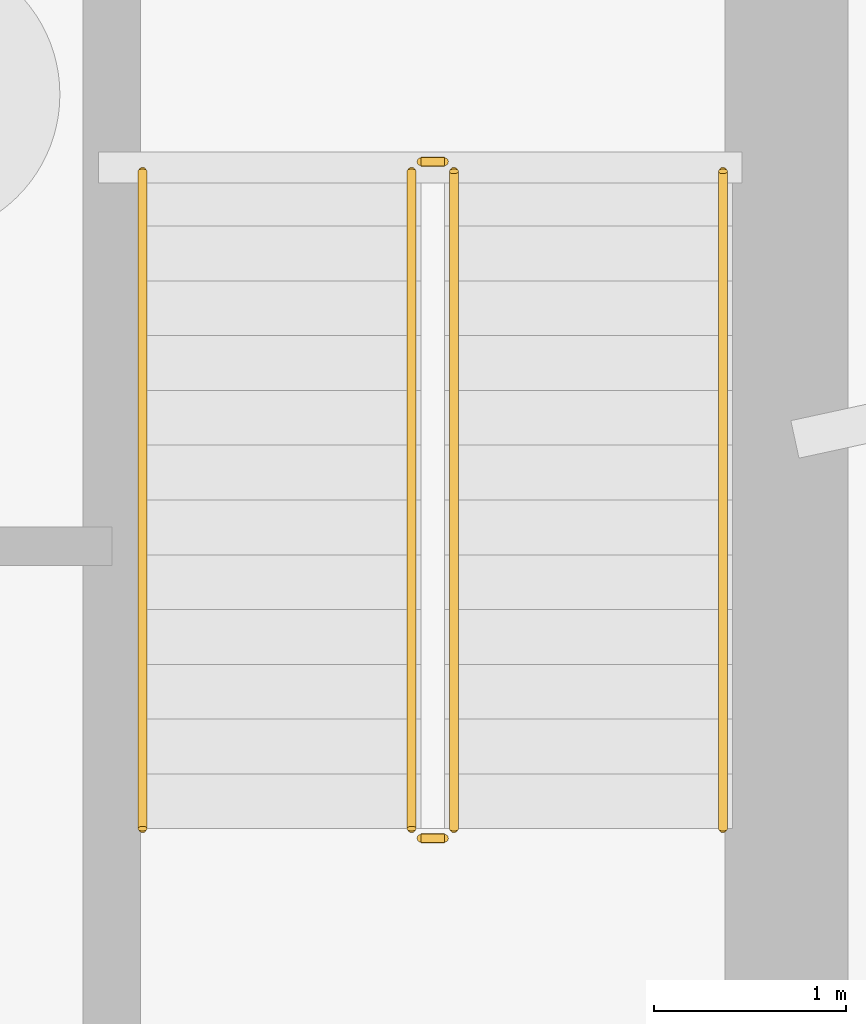
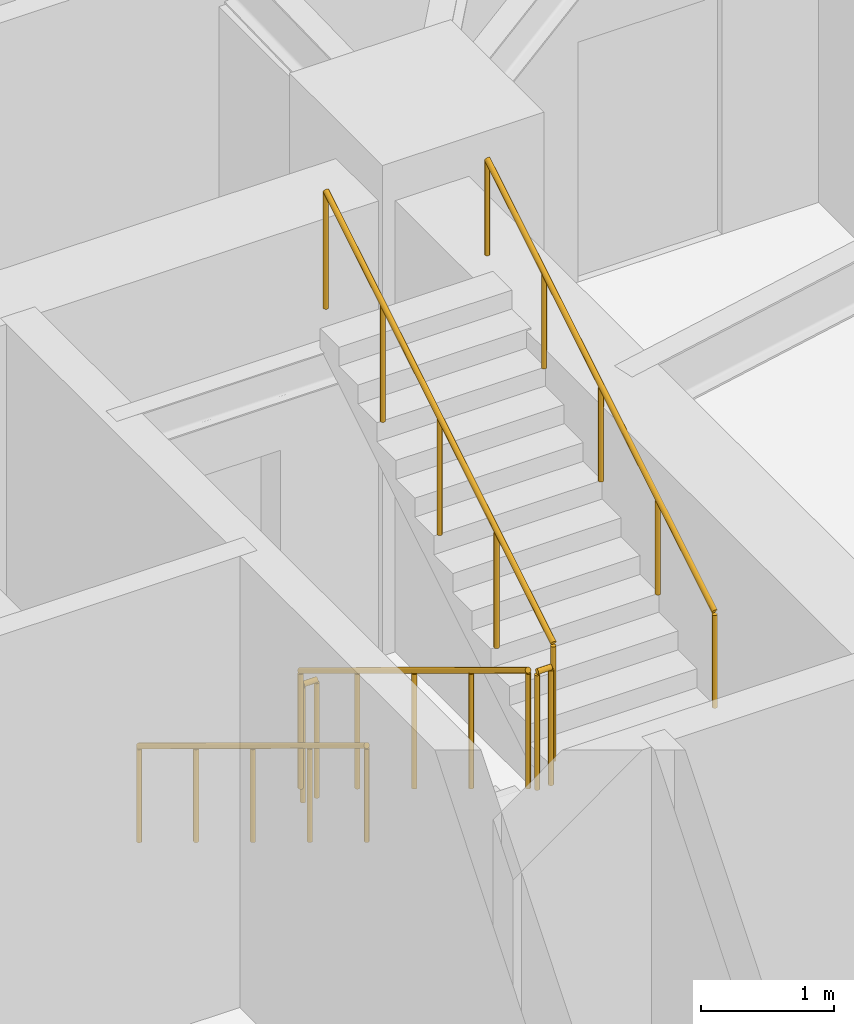
# One storey, part 14 of 15: 6 railings.
"""IFC4 building model written with IfcOpenShell, lengths in metres."""

from ifc_helpers import new_model, si_unit, direction, frame, origin, origin_2d, place, context, subcontext, project, spatial, circle, extrude, material, type_object, element, save


model = new_model("IFC4")

# Units and contexts
model_context = context("Model", 3, precision=1e-05, world=origin(), true_north=direction((0.0, 1.0)))
body_context = subcontext(model_context, "Body", "Model", "MODEL_VIEW")
ifc_project = project(units=[si_unit("LENGTHUNIT", "METRE"), si_unit("AREAUNIT", "SQUARE_METRE"), si_unit("VOLUMEUNIT", "CUBIC_METRE"), si_unit("PLANEANGLEUNIT", "RADIAN"), si_unit("MASSUNIT", "GRAM", prefix="KILO")], contexts=[model_context])

# Site, building, storey
site_placement = place(None, origin())
site = spatial("IfcSite", under=ifc_project, at=site_placement, CompositionType="ELEMENT")
building_placement = place(site_placement, origin())
building = spatial("IfcBuilding", under=site, at=building_placement, Name="Qobustan Lattice House", CompositionType="ELEMENT")
storey_placement = place(building_placement, frame((0.0, 0.0, -9.0)))
storey = spatial("IfcBuildingStorey", under=building, at=storey_placement, Name="B02", CompositionType="ELEMENT", Elevation=-9.0)

# Railings
ifc_material_1 = material(Name="Brushed stainless steel handrail", Category="steel")
railing_type_1 = type_object("IfcRailingType", Name="RAL-HR-920", PredefinedType="HANDRAIL", material=ifc_material_1)
railing_1_placement = place(storey_placement, frame((15.179931640625, 3.5, 0.173095703125)))
element("IfcRailing", 1, at=railing_1_placement, inside=storey, type_object=railing_type_1, Name="B02 ST-E1 stair handrail 1", PredefinedType="HANDRAIL", context=body_context, shape_type="SweptSolid", body=[
    extrude(circle(Radius=0.02392578125, at=origin_2d()), frame((0.0, 0.0, 0.8759765625), z_axis=(0.0, -0.854729506542, 0.519073665916), x_axis=(1.0, 0.0, 0.0)), (0.0, 0.0, 1.0), 4.001220703125),
    extrude(circle(Radius=0.02099609375, at=origin_2d()), origin(), (0.0, 0.0, 1.0), 0.851806640625),
    extrude(circle(Radius=0.02099609375, at=origin_2d()), frame((0.0, -0.85498046875, 0.519287109375)), (0.0, 0.0, 1.0), 0.851806640625),
    extrude(circle(Radius=0.02099609375, at=origin_2d()), frame((0.0, -1.7099609375, 1.03857421875)), (0.0, 0.0, 1.0), 0.851806640625),
    extrude(circle(Radius=0.02099609375, at=origin_2d()), frame((0.0, -2.56494140625, 1.5576171875)), (0.0, 0.0, 1.0), 0.851806640625),
    extrude(circle(Radius=0.02099609375, at=origin_2d()), frame((0.0, -3.419921875, 2.076904296875)), (0.0, 0.0, 1.0), 0.851806640625),
])
railing_2_placement = place(storey_placement, frame((18.199951171875, 0.080078125, 2.423095703125)))
element("IfcRailing", 2, at=railing_2_placement, inside=storey, type_object=railing_type_1, Name="B02 ST-E1 stair handrail 2", PredefinedType="HANDRAIL", context=body_context, shape_type="SweptSolid", body=[
    extrude(circle(Radius=0.02392578125, at=origin_2d()), frame((0.0, 0.0, 0.8759765625), z_axis=(0.0, 0.854729506542, 0.519073665916), x_axis=(-1.0, 0.0, 0.0)), (0.0, 0.0, 1.0), 4.001220703125),
    extrude(circle(Radius=0.02099609375, at=origin_2d()), origin(), (0.0, 0.0, 1.0), 0.851806640625),
    extrude(circle(Radius=0.02099609375, at=origin_2d()), frame((0.0, 0.85498046875, 0.519287109375)), (0.0, 0.0, 1.0), 0.851806640625),
    extrude(circle(Radius=0.02099609375, at=origin_2d()), frame((0.0, 1.7099609375, 1.03857421875)), (0.0, 0.0, 1.0), 0.851806640625),
    extrude(circle(Radius=0.02099609375, at=origin_2d()), frame((0.0, 2.56494140625, 1.5576171875)), (0.0, 0.0, 1.0), 0.851806640625),
    extrude(circle(Radius=0.02099609375, at=origin_2d()), frame((0.0, 3.419921875, 2.076904296875)), (0.0, 0.0, 1.0), 0.851806640625),
])
ifc_material_2 = material(Name="Painted galvanized steel guardrail", Category="steel")
railing_type_2 = type_object("IfcRailingType", Name="RAL-STG-1150", PredefinedType="GUARDRAIL", material=ifc_material_2)
railing_3_placement = place(storey_placement, frame((16.580078125, 3.5, 0.173095703125)))
element("IfcRailing", 3, at=railing_3_placement, inside=storey, type_object=railing_type_2, Name="B02 ST-E1 stair guard 1", PredefinedType="GUARDRAIL", context=body_context, shape_type="SweptSolid", body=[
    extrude(circle(Radius=0.02392578125, at=origin_2d()), frame((0.0, 0.0, 1.076171875), z_axis=(0.0, -0.854729506542, 0.519073665916), x_axis=(1.0, 0.0, 0.0)), (0.0, 0.0, 1.0), 4.001220703125),
    extrude(circle(Radius=0.02099609375, at=origin_2d()), origin(), (0.0, 0.0, 1.0), 1.052001953125),
    extrude(circle(Radius=0.02099609375, at=origin_2d()), frame((0.0, -0.85498046875, 0.519287109375)), (0.0, 0.0, 1.0), 1.052001953125),
    extrude(circle(Radius=0.02099609375, at=origin_2d()), frame((0.0, -1.7099609375, 1.03857421875)), (0.0, 0.0, 1.0), 1.052001953125),
    extrude(circle(Radius=0.02099609375, at=origin_2d()), frame((0.0, -2.56494140625, 1.5576171875)), (0.0, 0.0, 1.0), 1.052001953125),
    extrude(circle(Radius=0.02099609375, at=origin_2d()), frame((0.0, -3.419921875, 2.076904296875)), (0.0, 0.0, 1.0), 1.052001953125),
])
railing_4_placement = place(storey_placement, frame((16.6298828125, 0.030029296875, 2.25)))
element("IfcRailing", 4, at=railing_4_placement, inside=storey, type_object=railing_type_2, Name="B02 ST-E1 stair guard 2", PredefinedType="GUARDRAIL", context=body_context, shape_type="SweptSolid", body=[
    extrude(circle(Radius=0.02392578125, at=origin_2d()), frame((0.0, 0.0, 1.076171875), z_axis=(1.0, 0.0, 0.0), x_axis=(0.0, 1.0, 0.0)), (0.0, 0.0, 1.0), 0.1201171875),
    extrude(circle(Radius=0.02099609375, at=origin_2d()), origin(), (0.0, 0.0, 1.0), 1.052001953125),
    extrude(circle(Radius=0.02099609375, at=origin_2d()), frame((0.1201171875, 0.0, 0.0)), (0.0, 0.0, 1.0), 1.052001953125),
])
railing_5_placement = place(storey_placement, frame((16.800048828125, 0.080078125, 2.423095703125)))
element("IfcRailing", 5, at=railing_5_placement, inside=storey, type_object=railing_type_2, Name="B02 ST-E1 stair guard 3", PredefinedType="GUARDRAIL", context=body_context, shape_type="SweptSolid", body=[
    extrude(circle(Radius=0.02392578125, at=origin_2d()), frame((0.0, 0.0, 1.076171875), z_axis=(0.0, 0.854729506542, 0.519073665916), x_axis=(-1.0, 0.0, 0.0)), (0.0, 0.0, 1.0), 4.001220703125),
    extrude(circle(Radius=0.02099609375, at=origin_2d()), origin(), (0.0, 0.0, 1.0), 1.052001953125),
    extrude(circle(Radius=0.02099609375, at=origin_2d()), frame((0.0, 0.85498046875, 0.519287109375)), (0.0, 0.0, 1.0), 1.052001953125),
    extrude(circle(Radius=0.02099609375, at=origin_2d()), frame((0.0, 1.7099609375, 1.03857421875)), (0.0, 0.0, 1.0), 1.052001953125),
    extrude(circle(Radius=0.02099609375, at=origin_2d()), frame((0.0, 2.56494140625, 1.5576171875)), (0.0, 0.0, 1.0), 1.052001953125),
    extrude(circle(Radius=0.02099609375, at=origin_2d()), frame((0.0, 3.419921875, 2.076904296875)), (0.0, 0.0, 1.0), 1.052001953125),
])
railing_6_placement = place(storey_placement, frame((16.6298828125, 3.550048828125, 0.0)))
element("IfcRailing", 6, at=railing_6_placement, inside=storey, type_object=railing_type_2, Name="B02 ST-E1 stair guard 4", PredefinedType="GUARDRAIL", context=body_context, shape_type="SweptSolid", body=[
    extrude(circle(Radius=0.02392578125, at=origin_2d()), frame((0.0, 0.0, 1.076171875), z_axis=(1.0, 0.0, 0.0), x_axis=(0.0, 1.0, 0.0)), (0.0, 0.0, 1.0), 0.1201171875),
    extrude(circle(Radius=0.02099609375, at=origin_2d()), origin(), (0.0, 0.0, 1.0), 1.052001953125),
    extrude(circle(Radius=0.02099609375, at=origin_2d()), frame((0.1201171875, 0.0, 0.0)), (0.0, 0.0, 1.0), 1.052001953125),
])

save(model, "model.ifc")
